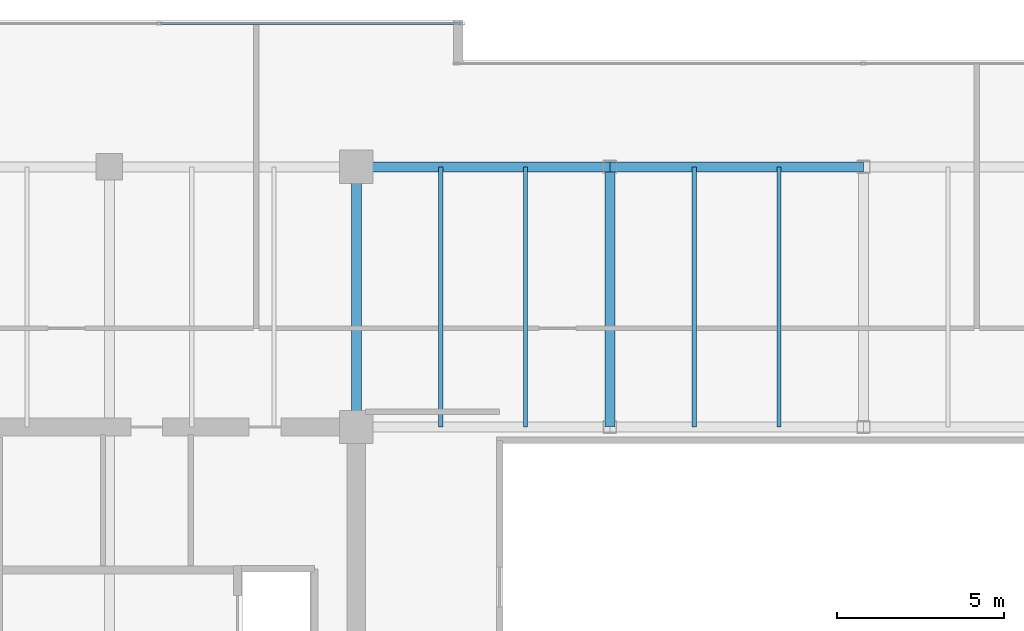
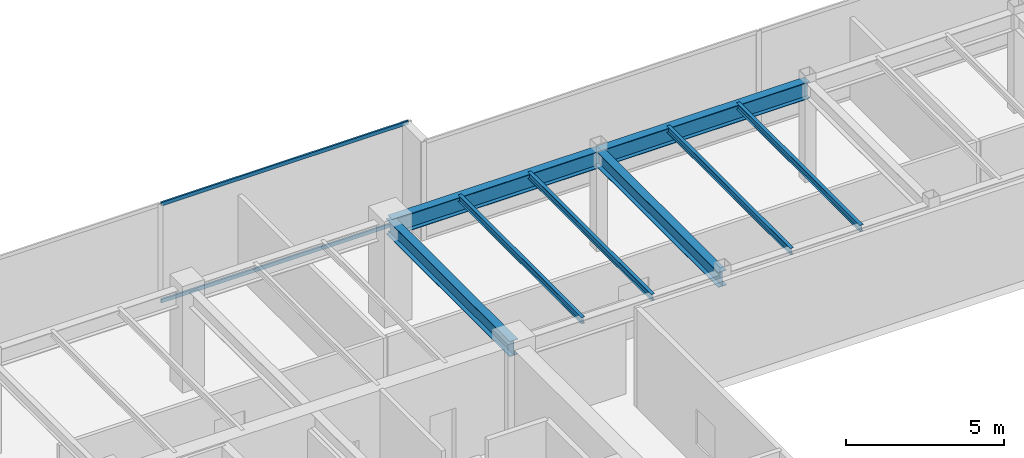
# One storey, part 16 of 33: 8 beams, 2 members, 1 element without a shape of its own.
"""IFC4 building model written with IfcOpenShell, lengths in metres."""

from ifc_helpers import new_model, si_unit, direction, frame, origin, origin_2d, place, context, subcontext, project, spatial, hollow_rectangle, i_section, extrude, source, transform, mapped, material, layer, layer_set, material_profile, profile_set, type_object, type_shapes, element, aggregate, save


model = new_model("IFC4")

# Units and contexts
model_context = context("Model", 3, precision=1e-05, world=origin(), true_north=direction((0.0, 1.0)))
body_context = subcontext(model_context, "Body", "Model", "MODEL_VIEW")
ifc_project = project(units=[si_unit("LENGTHUNIT", "METRE"), si_unit("AREAUNIT", "SQUARE_METRE"), si_unit("VOLUMEUNIT", "CUBIC_METRE"), si_unit("PLANEANGLEUNIT", "RADIAN"), si_unit("MASSUNIT", "GRAM", prefix="KILO")], contexts=[model_context])

# Site, building, storey
site_placement = place(None, origin())
site = spatial("IfcSite", under=ifc_project, at=site_placement, CompositionType="ELEMENT")
building_placement = place(site_placement, origin())
building = spatial("IfcBuilding", under=site, at=building_placement, Name="Haelvirn Gate Laboratories", CompositionType="ELEMENT")
storey_placement = place(building_placement, frame((0.0, 0.0, 279.300048828125)))
storey = spatial("IfcBuildingStorey", under=building, at=storey_placement, Name="L67", CompositionType="ELEMENT", Elevation=279.300048828125)

# Beams
ifc_material_1 = material(Name="Steel SM355", Category="steel")
ifc_material_profile_1 = material_profile(ifc_material_1, i_section(OverallWidth=0.300048828125, OverallDepth=0.587890625, WebThickness=0.011962890625, FlangeThickness=0.02001953125, at=origin_2d()), Name="H-588x300x12x20")
ifc_profile_set_1 = profile_set([ifc_material_profile_1], Name="Steel SM355")
beam_type_1 = type_object("IfcBeamType", Name="BM-G-588", PredefinedType="BEAM", material=ifc_profile_set_1)
shared_shape_1 = source(origin(), body_context, "Body", "SweptSolid", [
    extrude(i_section(OverallWidth=0.300048828125, OverallDepth=0.587890625, WebThickness=0.011962890625, FlangeThickness=0.02001953125, at=origin_2d()), origin(), (0.0, 0.0, 1.0), 7.800048828125),
])
type_shapes(beam_type_1, [shared_shape_1])
for number, where, z_axis, x_axis, name in (
    (1, (22.199951171875, 33.800048828125, 3.505859375), (0.0, 1.0, 0.0), (-1.0, 0.0, 0.0), "L67 Frame Girder X22.2 (33.8-41.6)"),
    (2, (29.800048828125, 33.800048828125, 3.505859375), (0.0, 1.0, 0.0), (-1.0, 0.0, 0.0), "L67 Frame Girder X29.8 (33.8-41.6)"),
):
    element("IfcBeam", number, at=place(storey_placement, frame(where, z_axis=z_axis, x_axis=x_axis)), inside=storey, type_object=beam_type_1, Name=name, PredefinedType="BEAM", context=body_context, shape_type="MappedRepresentation", body=[
        mapped(shared_shape_1, transform((0.0, 0.0, 0.0), scale=1.0)),
    ])
ifc_material_profile_2 = material_profile(ifc_material_1, i_section(OverallWidth=0.300048828125, OverallDepth=0.64990234375, WebThickness=0.012939453125, FlangeThickness=0.02197265625, at=origin_2d()), Name="H-650x300x13x22")
ifc_profile_set_2 = profile_set([ifc_material_profile_2], Name="Steel SM355")
beam_type_2 = type_object("IfcBeamType", Name="BM-G-650", PredefinedType="BEAM", material=ifc_profile_set_2)
shared_shape_2 = source(origin(), body_context, "Body", "SweptSolid", [
    extrude(i_section(OverallWidth=0.300048828125, OverallDepth=0.64990234375, WebThickness=0.012939453125, FlangeThickness=0.02197265625, at=origin_2d()), origin(), (0.0, 0.0, 1.0), 7.60009765625),
])
beam_1_placement = place(storey_placement, frame((22.199951171875, 41.60009765625, 3.474853515625), z_axis=(1.0, 0.0, 0.0), x_axis=(0.0, 1.0, 0.0)))
element("IfcBeam", 3, at=beam_1_placement, inside=storey, type_object=beam_type_2, Name="L67 Primary Girder Y41.6 (22.2-29.8)", PredefinedType="BEAM", context=body_context, shape_type="MappedRepresentation", body=[
    mapped(shared_shape_2, transform((0.0, 0.0, 0.0), scale=1.0)),
])
shared_shape_3 = source(origin(), body_context, "Body", "SweptSolid", [
    extrude(i_section(OverallWidth=0.300048828125, OverallDepth=0.64990234375, WebThickness=0.012939453125, FlangeThickness=0.02197265625, at=origin_2d()), origin(), (0.0, 0.0, 1.0), 7.599853515625),
])
type_shapes(beam_type_2, [shared_shape_2, shared_shape_3])
beam_2_placement = place(storey_placement, frame((29.800048828125, 41.60009765625, 3.474853515625), z_axis=(1.0, 0.0, 0.0), x_axis=(0.0, 1.0, 0.0)))
element("IfcBeam", 4, at=beam_2_placement, inside=storey, type_object=beam_type_2, Name="L67 Primary Girder Y41.6 (29.8-37.4)", PredefinedType="BEAM", context=body_context, shape_type="MappedRepresentation", body=[
    mapped(shared_shape_3, transform((0.0, 0.0, 0.0), scale=1.0)),
])
ifc_material_profile_3 = material_profile(ifc_material_1, i_section(OverallWidth=0.125, OverallDepth=0.25, WebThickness=0.006103515625, FlangeThickness=0.009033203125, at=origin_2d()), Name="H-250x125x6x9")
ifc_profile_set_3 = profile_set([ifc_material_profile_3], Name="Steel SM355")
beam_type_3 = type_object("IfcBeamType", Name="BM-J-250", PredefinedType="JOIST", material=ifc_profile_set_3)
shared_shape_4 = source(origin(), body_context, "Body", "SweptSolid", [
    extrude(i_section(OverallWidth=0.125, OverallDepth=0.25, WebThickness=0.006103515625, FlangeThickness=0.009033203125, at=origin_2d()), origin(), (0.0, 0.0, 1.0), 7.800048828125),
])
type_shapes(beam_type_3, [shared_shape_4])
for number, where, z_axis, x_axis, name in (
    (5, (24.72998046875, 33.800048828125, 3.675048828125), (0.0, 1.0, 0.0), (-1.0, 0.0, 0.0), "L67 Composite Lab Joist North X24.73"),
    (6, (27.27001953125, 33.800048828125, 3.675048828125), (0.0, 1.0, 0.0), (-1.0, 0.0, 0.0), "L67 Composite Lab Joist North X27.27"),
    (7, (32.330078125, 33.800048828125, 3.675048828125), (0.0, 1.0, 0.0), (-1.0, 0.0, 0.0), "L67 Composite Lab Joist North X32.33"),
    (8, (34.8701171875, 33.800048828125, 3.675048828125), (0.0, 1.0, 0.0), (-1.0, 0.0, 0.0), "L67 Composite Lab Joist North X34.87"),
):
    element("IfcBeam", number, at=place(storey_placement, frame(where, z_axis=z_axis, x_axis=x_axis)), inside=storey, type_object=beam_type_3, Name=name, PredefinedType="JOIST", context=body_context, shape_type="MappedRepresentation", body=[
        mapped(shared_shape_4, transform((0.0, 0.0, 0.0), scale=1.0)),
    ])

# Curtain wall, members
ifc_material_2 = material(Name="Anodised bronze unitised aluminium & triple low-E glass", Category="aluminium")
ifc_layer = layer(ifc_material_2, 0.176025390625, Name="CW-SYS-4")
ifc_layer_set = layer_set([ifc_layer], Name="Anodised bronze unitised aluminium & triple low-E glass")
curtain_wall_type = type_object("IfcCurtainWallType", Name="CW-SYS-4", PredefinedType="NOTDEFINED", material=ifc_layer_set)
curtain_wall_placement = place(storey_placement, origin())
curtain_wall = element("IfcCurtainWall", 9, at=curtain_wall_placement, inside=storey, type_object=curtain_wall_type, Name="L67 Unitised Curtain Wall CW-L67-P0-E14-1", PredefinedType="NOTDEFINED")
ifc_material_3 = material(Name="Extruded aluminium 6063-T6 (anodised bronze)", Category="aluminium")
ifc_material_profile_4 = material_profile(ifc_material_3, hollow_rectangle(XDim=0.06494140625, YDim=0.139892578125, WallThickness=0.00390625, at=origin_2d()), Name="CWT-140x65x4")
ifc_profile_set_4 = profile_set([ifc_material_profile_4], Name="Extruded aluminium 6063-T6 (anodised bronze)")
member_type = type_object("IfcMemberType", Name="CWT-T140", PredefinedType="USERDEFINED", material=ifc_profile_set_4)
shared_shape_5 = source(origin(), body_context, "Body", "SweptSolid", [
    extrude(hollow_rectangle(XDim=0.06494140625, YDim=0.139892578125, WallThickness=0.00390625, at=origin_2d()), origin(), (0.0, 0.0, 1.0), 8.9951171875),
])
type_shapes(member_type, [shared_shape_5])
member_1_placement = place(storey_placement, frame((16.3349609375, 45.89990234375, 0.032470703125), z_axis=(1.0, 0.0, 0.0), x_axis=(0.0, 1.0, 0.0)))
member_1 = element("IfcMember", 10, at=member_1_placement, type_object=member_type, Name="CW4 transom 2.1", ObjectType="TRANSOM", PredefinedType="USERDEFINED", context=body_context, shape_type="MappedRepresentation", body=[
    mapped(shared_shape_5, transform((0.0, 0.0, 0.0), scale=1.0)),
])
member_2_placement = place(storey_placement, frame((16.3349609375, 45.89990234375, 3.767333984375), z_axis=(1.0, 0.0, 0.0), x_axis=(0.0, 1.0, 0.0)))
member_2 = element("IfcMember", 11, at=member_2_placement, type_object=member_type, Name="CW4 transom 2.2", ObjectType="TRANSOM", PredefinedType="USERDEFINED", context=body_context, shape_type="MappedRepresentation", body=[
    mapped(shared_shape_5, transform((0.0, 0.0, 0.0), scale=1.0)),
])
aggregate(curtain_wall, [member_1, member_2])

save(model, "model.ifc")
